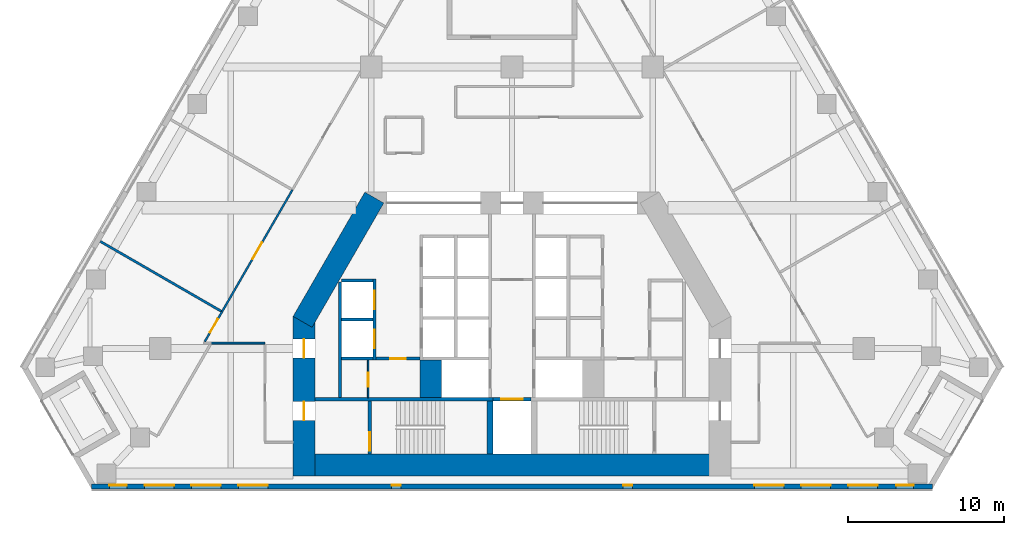
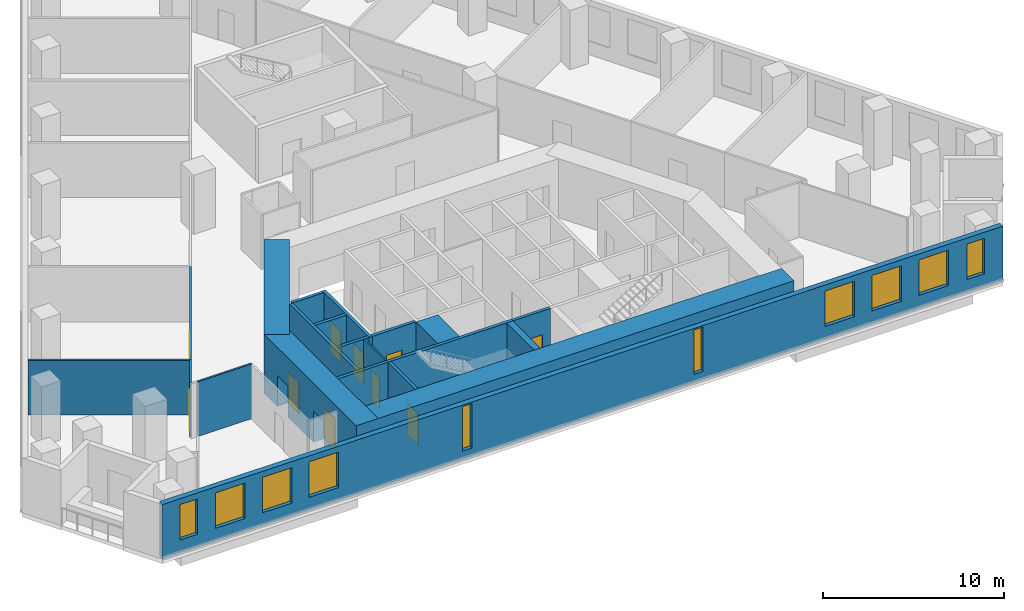
# One storey, part 3 of 9: 20 walls, 10 doors, 10 windows, 20 openings.
"""IFC4 building model written with IfcOpenShell, lengths in metres."""

from ifc_helpers import new_model, si_unit, direction, frame, frame_2d, origin, place, context, subcontext, project, spatial, rectangle, extrude, material, layer, layer_set, type_object, element, fill, save


model = new_model("IFC4")

# Units and contexts
model_context = context("Model", 3, precision=1e-05, world=origin(), true_north=direction((0.0, 1.0)))
body_context = subcontext(model_context, "Body", "Model", "MODEL_VIEW")
ifc_project = project(units=[si_unit("LENGTHUNIT", "METRE"), si_unit("AREAUNIT", "SQUARE_METRE"), si_unit("VOLUMEUNIT", "CUBIC_METRE"), si_unit("PLANEANGLEUNIT", "RADIAN"), si_unit("MASSUNIT", "GRAM", prefix="KILO")], contexts=[model_context])

# Site, building, storey
site_placement = place(None, origin())
site = spatial("IfcSite", under=ifc_project, at=site_placement, CompositionType="ELEMENT")
building_placement = place(site_placement, origin())
building = spatial("IfcBuilding", under=site, at=building_placement, Name="Fogline Exchange Tower", CompositionType="ELEMENT")
storey_placement = place(building_placement, frame((0.0, 0.0, 68.89990234375)))
storey = spatial("IfcBuildingStorey", under=building, at=storey_placement, Name="L14", CompositionType="ELEMENT", Elevation=68.89990234375)

# Wall, opening, door
ifc_material_1 = material(Name="Blockwork partition", Category="masonry")
ifc_layer_1 = layer(ifc_material_1, 0.10009765625)
ifc_layer_set_1 = layer_set([ifc_layer_1], Name="CW10")
wall_type_1 = type_object("IfcWallType", Name="CW10", PredefinedType="PARTITIONING", material=ifc_layer_set_1)
wall_1_placement = place(storey_placement, frame((-9.199951171875, 5.85009765625, 0.0), z_axis=(0.0, 0.0, 1.0), x_axis=(0.0, 1.0, 0.0)))
wall_1 = element("IfcWall", 1, at=wall_1_placement, inside=storey, type_object=wall_type_1, Name="WC partition", PredefinedType="PARTITIONING", context=body_context, shape_type="SweptSolid", body=[
    extrude(rectangle(XDim=2.39990234375, YDim=0.10009765625, at=frame_2d((1.199951171875, 0.0))), origin(), (0.0, 0.0, 1.0), 3.7001953125),
])
opening_1_placement = place(wall_1_placement, frame((0.699951171875, 0.0, 0.0)))
opening_1 = element("IfcOpeningElement", 2, at=opening_1_placement, cuts=wall_1, Name="Opening T04-C008", PredefinedType="OPENING", context=body_context, shape_type="SweptSolid", body=[
    extrude(rectangle(XDim=0.89990234375, YDim=2.10009765625, at=frame_2d((0.449951171875, 1.050048828125))), frame((0.0, 0.06005859375, 0.0), z_axis=(0.0, -1.0, 0.0), x_axis=(1.0, 0.0, 0.0)), (0.0, 0.0, 1.0), 0.1201171875),
])
ifc_material_2 = material(Name="Steel and timber fire door", Category="steel")
door_type_1 = type_object("IfcDoorType", Name="D-CS1", OperationType="SINGLE_SWING_RIGHT", PredefinedType="DOOR", material=ifc_material_2)
door_1_placement = place(opening_1_placement, origin())
door_1 = element("IfcDoor", 3, at=door_1_placement, inside=storey, type_object=door_type_1, Name="Door to Cleaner's Store", OperationType="SINGLE_SWING_LEFT", OverallHeight=2.10009765625, OverallWidth=0.89990234375, PredefinedType="DOOR", context=body_context, shape_type="SweptSolid", body=[
    extrude(rectangle(XDim=0.89990234375, YDim=2.10009765625, at=frame_2d((0.449951171875, 1.050048828125))), frame((0.0, 0.02490234375, 0.0), z_axis=(0.0, -1.0, 0.0), x_axis=(1.0, 0.0, 0.0)), (0.0, 0.0, 1.0), 0.050048828125),
])
fill(opening_1, door_1)

# Walls
ifc_material_3 = material(Name="Concrete C60", Category="concrete")
ifc_layer_2 = layer(ifc_material_3, 1.39990234375)
ifc_layer_set_2 = layer_set([ifc_layer_2], Name="CW140")
wall_type_2 = type_object("IfcWallType", Name="CW140", PredefinedType="SOLIDWALL", material=ifc_layer_set_2)
wall_2_placement = place(storey_placement, frame((-5.199951171875, 5.85009765625, -0.2998046875), z_axis=(0.0, 0.0, 1.0), x_axis=(0.0, 1.0, 0.0)))
element("IfcWall", 4, at=wall_2_placement, inside=storey, type_object=wall_type_2, Name="Lift shaft block wall", PredefinedType="SOLIDWALL", context=body_context, shape_type="SweptSolid", body=[
    extrude(rectangle(XDim=2.39990234375, YDim=1.39990234375, at=frame_2d((1.199951171875, 0.0))), origin(), (0.0, 0.0, 1.0), 4.0),
])
ifc_material_4 = material(Name="Concrete C40", Category="concrete")
ifc_layer_3 = layer(ifc_material_4, 0.199951171875)
ifc_layer_set_3 = layer_set([ifc_layer_3], Name="CW20")
wall_type_3 = type_object("IfcWallType", Name="CW20", PredefinedType="SOLIDWALL", material=ifc_layer_set_3)
wall_3_placement = place(storey_placement, frame((-11.0, 5.85009765625, 0.0), z_axis=(0.0, 0.0, 1.0), x_axis=(0.0, 1.0, 0.0)))
element("IfcWall", 5, at=wall_3_placement, inside=storey, type_object=wall_type_3, Name="Service room wall", PredefinedType="SOLIDWALL", context=body_context, shape_type="SweptSolid", body=[
    extrude(rectangle(XDim=7.39990234375, YDim=0.199951171875, at=frame_2d((3.699951171875, 0.0))), origin(), (0.0, 0.0, 1.0), 3.7001953125),
])

# Wall, opening, door
wall_4_placement = place(storey_placement, frame((-8.699951171875, 8.35009765625, 0.0), z_axis=(0.0, 0.0, 1.0), x_axis=(1.0, 0.0, 0.0)))
wall_4 = element("IfcWall", 6, at=wall_4_placement, inside=storey, type_object=wall_type_3, Name="WC wall", PredefinedType="SOLIDWALL", context=body_context, shape_type="SweptSolid", body=[
    extrude(rectangle(XDim=2.800048828125, YDim=0.199951171875, at=frame_2d((1.39990234375, 0.0))), origin(), (0.0, 0.0, 1.0), 3.7001953125),
])
opening_2_placement = place(wall_4_placement, frame((0.89990234375, 0.0, 0.0)))
opening_2 = element("IfcOpeningElement", 7, at=opening_2_placement, cuts=wall_4, Name="Opening T04-C007", PredefinedType="OPENING", context=body_context, shape_type="SweptSolid", body=[
    extrude(rectangle(XDim=1.0, YDim=2.10009765625, at=frame_2d((0.5, 1.050048828125))), frame((0.0, 0.10986328125, 0.0), z_axis=(0.0, -1.0, 0.0), x_axis=(1.0, 0.0, 0.0)), (0.0, 0.0, 1.0), 0.219970703125),
])
door_type_2 = type_object("IfcDoorType", Name="D-WC1", OperationType="SINGLE_SWING_LEFT", PredefinedType="DOOR", material=ifc_material_2)
door_2_placement = place(opening_2_placement, frame((1.0, 0.0, 0.0), z_axis=(0.0, 0.0, 1.0), x_axis=(-1.0, 0.0, 0.0)))
door_2 = element("IfcDoor", 8, at=door_2_placement, inside=storey, type_object=door_type_2, Name="Door to Men's WC", OperationType="SINGLE_SWING_LEFT", OverallHeight=2.10009765625, OverallWidth=1.0, PredefinedType="DOOR", context=body_context, shape_type="SweptSolid", body=[
    extrude(rectangle(XDim=1.0, YDim=2.10009765625, at=frame_2d((0.5, 1.050048828125))), frame((0.0, 0.02490234375, 0.0), z_axis=(0.0, -1.0, 0.0), x_axis=(1.0, 0.0, 0.0)), (0.0, 0.0, 1.0), 0.050048828125),
])
fill(opening_2, door_2)

# Wall
ifc_layer_4 = layer(ifc_material_4, 0.199951171875)
ifc_layer_set_4 = layer_set([ifc_layer_4], Name="CW20R")
wall_type_4 = type_object("IfcWallType", Name="CW20R", PredefinedType="SOLIDWALL", material=ifc_layer_set_4)
wall_5_placement = place(storey_placement, frame((-12.60009765625, 5.75, -0.2998046875), z_axis=(0.0, 0.0, 1.0), x_axis=(1.0, 0.0, 0.0)))
element("IfcWall", 9, at=wall_5_placement, inside=storey, type_object=wall_type_4, Name="Stair enclosure wall", PredefinedType="SOLIDWALL", context=body_context, shape_type="SweptSolid", body=[
    extrude(rectangle(XDim=11.400146484375, YDim=0.199951171875, at=frame_2d((5.7001953125, 0.0))), origin(), (0.0, 0.0, 1.0), 4.0),
])

# Wall, opening, door
wall_6_placement = place(storey_placement, frame((-1.199951171875, 5.75, -0.2998046875), z_axis=(0.0, 0.0, 1.0), x_axis=(1.0, 0.0, 0.0)))
wall_6 = element("IfcWall", 10, at=wall_6_placement, inside=storey, type_object=wall_type_4, Name="Stair enclosure wall", PredefinedType="SOLIDWALL", context=body_context, shape_type="SweptSolid", body=[
    extrude(rectangle(XDim=2.39990234375, YDim=0.199951171875, at=frame_2d((1.199951171875, 0.0))), origin(), (0.0, 0.0, 1.0), 4.0),
])
opening_3_placement = place(wall_6_placement, frame((0.5, 0.0, 0.300048828125)))
opening_3 = element("IfcOpeningElement", 11, at=opening_3_placement, cuts=wall_6, Name="Opening T04-LD09", PredefinedType="OPENING", context=body_context, shape_type="SweptSolid", body=[
    extrude(rectangle(XDim=1.39990234375, YDim=2.10009765625, at=frame_2d((0.699951171875, 1.050048828125))), frame((0.0, 0.10986328125, 0.0), z_axis=(0.0, -1.0, 0.0), x_axis=(1.0, 0.0, 0.0)), (0.0, 0.0, 1.0), 0.219970703125),
])
door_type_3 = type_object("IfcDoorType", Name="LD3", OperationType="SLIDING_TO_LEFT", PredefinedType="DOOR", material=ifc_material_2)
door_3_placement = place(opening_3_placement, origin())
door_3 = element("IfcDoor", 12, at=door_3_placement, inside=storey, type_object=door_type_3, Name="Landing door GL1", OperationType="SLIDING_TO_LEFT", OverallHeight=2.10009765625, OverallWidth=1.39990234375, PredefinedType="DOOR", context=body_context, shape_type="SweptSolid", body=[
    extrude(rectangle(XDim=1.39990234375, YDim=2.10009765625, at=frame_2d((0.699951171875, 1.050048828125))), frame((0.0, 0.02490234375, 0.0), z_axis=(0.0, -1.0, 0.0), x_axis=(1.0, 0.0, 0.0)), (0.0, 0.0, 1.0), 0.050048828125),
])
fill(opening_3, door_3)

wall_7_placement = place(storey_placement, frame((-9.10009765625, 2.25, -0.2998046875), z_axis=(0.0, 0.0, 1.0), x_axis=(0.0, 1.0, 0.0)))
wall_7 = element("IfcWall", 13, at=wall_7_placement, inside=storey, type_object=wall_type_4, Name="Stair enclosure wall", PredefinedType="SOLIDWALL", context=body_context, shape_type="SweptSolid", body=[
    extrude(rectangle(XDim=3.39990234375, YDim=0.199951171875, at=frame_2d((1.699951171875, 0.0))), origin(), (0.0, 0.0, 1.0), 4.0),
])
opening_4_placement = place(wall_7_placement, frame((0.199951171875, 0.0, 0.300048828125)))
opening_4 = element("IfcOpeningElement", 14, at=opening_4_placement, cuts=wall_7, Name="Opening T04-C010", PredefinedType="OPENING", context=body_context, shape_type="SweptSolid", body=[
    extrude(rectangle(XDim=1.199951171875, YDim=2.10009765625, at=frame_2d((0.60009765625, 1.050048828125))), frame((0.0, 0.10986328125, 0.0), z_axis=(0.0, -1.0, 0.0), x_axis=(1.0, 0.0, 0.0)), (0.0, 0.0, 1.0), 0.219970703125),
])
door_type_4 = type_object("IfcDoorType", Name="D-ST1", OperationType="SINGLE_SWING_LEFT", PredefinedType="DOOR", material=ifc_material_2)
door_4_placement = place(opening_4_placement, frame((1.199951171875, 0.0, 0.0), z_axis=(0.0, 0.0, 1.0), x_axis=(-1.0, 0.0, 0.0)))
door_4 = element("IfcDoor", 15, at=door_4_placement, inside=storey, type_object=door_type_4, Name="Stair door ST1", OperationType="SINGLE_SWING_RIGHT", OverallHeight=2.10009765625, OverallWidth=1.199951171875, PredefinedType="DOOR", context=body_context, shape_type="SweptSolid", body=[
    extrude(rectangle(XDim=1.199951171875, YDim=2.10009765625, at=frame_2d((0.60009765625, 1.050048828125))), frame((0.0, 0.02490234375, 0.0), z_axis=(0.0, -1.0, 0.0), x_axis=(1.0, 0.0, 0.0)), (0.0, 0.0, 1.0), 0.050048828125),
])
fill(opening_4, door_4)

# Wall, openings, doors
ifc_layer_5 = layer(ifc_material_4, 0.199951171875)
ifc_layer_set_5 = layer_set([ifc_layer_5], Name="CW20S")
wall_type_5 = type_object("IfcWallType", Name="CW20S", PredefinedType="SOLIDWALL", material=ifc_layer_set_5)
wall_8_placement = place(storey_placement, frame((-8.800048828125, 8.25, -0.2998046875), z_axis=(0.0, 0.0, 1.0), x_axis=(0.0, 1.0, 0.0)))
wall_8 = element("IfcWall", 16, at=wall_8_placement, inside=storey, type_object=wall_type_5, Name="Lift shaft wall", PredefinedType="SOLIDWALL", context=body_context, shape_type="SweptSolid", body=[
    extrude(rectangle(XDim=5.199951171875, YDim=0.199951171875, at=frame_2d((2.60009765625, 0.0))), origin(), (0.0, 0.0, 1.0), 4.0),
])
opening_5_placement = place(wall_8_placement, frame((0.75, 0.0, 0.300048828125)))
opening_5 = element("IfcOpeningElement", 17, at=opening_5_placement, cuts=wall_8, Name="Opening T04-LD01", PredefinedType="OPENING", context=body_context, shape_type="SweptSolid", body=[
    extrude(rectangle(XDim=1.199951171875, YDim=2.10009765625, at=frame_2d((0.60009765625, 1.050048828125))), frame((0.0, 0.10986328125, 0.0), z_axis=(0.0, -1.0, 0.0), x_axis=(1.0, 0.0, 0.0)), (0.0, 0.0, 1.0), 0.219970703125),
])
opening_6_placement = place(wall_8_placement, frame((3.25, 0.0, 0.300048828125)))
opening_6 = element("IfcOpeningElement", 18, at=opening_6_placement, cuts=wall_8, Name="Opening T04-LD02", PredefinedType="OPENING", context=body_context, shape_type="SweptSolid", body=[
    extrude(rectangle(XDim=1.199951171875, YDim=2.10009765625, at=frame_2d((0.60009765625, 1.050048828125))), frame((0.0, 0.10986328125, 0.0), z_axis=(0.0, -1.0, 0.0), x_axis=(1.0, 0.0, 0.0)), (0.0, 0.0, 1.0), 0.219970703125),
])
door_type_5 = type_object("IfcDoorType", Name="LD1", OperationType="SLIDING_TO_LEFT", PredefinedType="DOOR", material=ifc_material_2)
door_5_placement = place(opening_5_placement, origin())
door_5 = element("IfcDoor", 19, at=door_5_placement, inside=storey, type_object=door_type_5, Name="Landing door LR1", OperationType="SLIDING_TO_LEFT", OverallHeight=2.10009765625, OverallWidth=1.199951171875, PredefinedType="DOOR", context=body_context, shape_type="SweptSolid", body=[
    extrude(rectangle(XDim=1.199951171875, YDim=2.10009765625, at=frame_2d((0.60009765625, 1.050048828125))), frame((0.0, 0.02490234375, 0.0), z_axis=(0.0, -1.0, 0.0), x_axis=(1.0, 0.0, 0.0)), (0.0, 0.0, 1.0), 0.050048828125),
])
fill(opening_5, door_5)
door_6_placement = place(opening_6_placement, origin())
door_6 = element("IfcDoor", 20, at=door_6_placement, inside=storey, type_object=door_type_5, Name="Landing door LR2", OperationType="SLIDING_TO_LEFT", OverallHeight=2.10009765625, OverallWidth=1.199951171875, PredefinedType="DOOR", context=body_context, shape_type="SweptSolid", body=[
    extrude(rectangle(XDim=1.199951171875, YDim=2.10009765625, at=frame_2d((0.60009765625, 1.050048828125))), frame((0.0, 0.02490234375, 0.0), z_axis=(0.0, -1.0, 0.0), x_axis=(1.0, 0.0, 0.0)), (0.0, 0.0, 1.0), 0.050048828125),
])
fill(opening_6, door_6)

# Walls
for number, where, z_axis, x_axis, name in (
    (21, (-10.89990234375, 8.35009765625, -0.2998046875), (0.0, 0.0, 1.0), (1.0, 0.0, 0.0), "Lift shaft wall"),
    (22, (-10.89990234375, 10.85009765625, -0.2998046875), (0.0, 0.0, 1.0), (1.0, 0.0, 0.0), "Lift shaft wall"),
    (23, (-10.89990234375, 13.35009765625, -0.2998046875), (0.0, 0.0, 1.0), (1.0, 0.0, 0.0), "Lift shaft wall"),
):
    element("IfcWall", number, at=place(storey_placement, frame(where, z_axis=z_axis, x_axis=x_axis)), inside=storey, type_object=wall_type_5, Name=name, PredefinedType="SOLIDWALL", context=body_context, shape_type="SweptSolid", body=[
        extrude(rectangle(XDim=2.0, YDim=0.199951171875, at=frame_2d((1.0, 0.0))), origin(), (0.0, 0.0, 1.0), 4.0),
    ])
ifc_layer_6 = layer(ifc_material_4, 0.39990234375)
ifc_layer_set_6 = layer_set([ifc_layer_6], Name="CW40R")
wall_type_6 = type_object("IfcWallType", Name="CW40R", PredefinedType="SOLIDWALL", material=ifc_layer_set_6)
wall_9_placement = place(storey_placement, frame((-1.39990234375, 2.25, -0.2998046875), z_axis=(0.0, 0.0, 1.0), x_axis=(0.0, 1.0, 0.0)))
element("IfcWall", 24, at=wall_9_placement, inside=storey, type_object=wall_type_6, Name="Stair and lift shaft wall", PredefinedType="SOLIDWALL", context=body_context, shape_type="SweptSolid", body=[
    extrude(rectangle(XDim=3.39990234375, YDim=0.39990234375, at=frame_2d((1.699951171875, 0.0))), origin(), (0.0, 0.0, 1.0), 4.0),
])

# Wall, openings, windows
ifc_material_5 = material(Name="Brick masonry", Category="masonry")
ifc_layer_7 = layer(ifc_material_5, 0.340087890625)
ifc_layer_set_7 = layer_set([ifc_layer_7], Name="FW1")
wall_type_7 = type_object("IfcWallType", Name="FW1", PredefinedType="SOLIDWALL", material=ifc_layer_set_7)
wall_10_placement = place(storey_placement, frame((-26.8828125, 0.169921875, 0.0), z_axis=(0.0, 0.0, 1.0), x_axis=(1.0, 0.0, 0.0)))
wall_10 = element("IfcWall", 25, at=wall_10_placement, inside=storey, type_object=wall_type_7, Name="Brick wall L14 S", PredefinedType="SOLIDWALL", context=body_context, shape_type="SweptSolid", body=[
    extrude(rectangle(XDim=53.765625, YDim=0.340087890625, at=frame_2d((26.8828125, 0.0))), origin(), (0.0, 0.0, 1.0), 3.7001953125),
])
opening_7_placement = place(wall_10_placement, frame((3.3828125, 0.0, 0.89990234375)))
opening_7 = element("IfcOpeningElement", 26, at=opening_7_placement, cuts=wall_10, Name="Opening W1", PredefinedType="OPENING", context=body_context, shape_type="SweptSolid", body=[
    extrude(rectangle(XDim=1.885009765625, YDim=2.39990234375, at=frame_2d((0.9423828125, 1.199951171875))), frame((0.0, 0.18017578125, 0.0), z_axis=(0.0, -1.0, 0.0), x_axis=(1.0, 0.0, 0.0)), (0.0, 0.0, 1.0), 0.360107421875),
])
opening_8_placement = place(wall_10_placement, frame((6.3828125, 0.0, 0.89990234375)))
opening_8 = element("IfcOpeningElement", 27, at=opening_8_placement, cuts=wall_10, Name="Opening W1", PredefinedType="OPENING", context=body_context, shape_type="SweptSolid", body=[
    extrude(rectangle(XDim=1.885009765625, YDim=2.39990234375, at=frame_2d((0.9423828125, 1.199951171875))), frame((0.0, 0.18017578125, 0.0), z_axis=(0.0, -1.0, 0.0), x_axis=(1.0, 0.0, 0.0)), (0.0, 0.0, 1.0), 0.360107421875),
])
opening_9_placement = place(wall_10_placement, frame((9.3828125, 0.0, 0.89990234375)))
opening_9 = element("IfcOpeningElement", 28, at=opening_9_placement, cuts=wall_10, Name="Opening W1", PredefinedType="OPENING", context=body_context, shape_type="SweptSolid", body=[
    extrude(rectangle(XDim=1.885009765625, YDim=2.39990234375, at=frame_2d((0.9423828125, 1.199951171875))), frame((0.0, 0.18017578125, 0.0), z_axis=(0.0, -1.0, 0.0), x_axis=(1.0, 0.0, 0.0)), (0.0, 0.0, 1.0), 0.360107421875),
])
opening_10_placement = place(wall_10_placement, frame((42.3828125, 0.0, 0.89990234375)))
opening_10 = element("IfcOpeningElement", 29, at=opening_10_placement, cuts=wall_10, Name="Opening W1", PredefinedType="OPENING", context=body_context, shape_type="SweptSolid", body=[
    extrude(rectangle(XDim=1.885009765625, YDim=2.39990234375, at=frame_2d((0.9423828125, 1.199951171875))), frame((0.0, 0.18017578125, 0.0), z_axis=(0.0, -1.0, 0.0), x_axis=(1.0, 0.0, 0.0)), (0.0, 0.0, 1.0), 0.360107421875),
])
opening_11_placement = place(wall_10_placement, frame((45.3828125, 0.0, 0.89990234375)))
opening_11 = element("IfcOpeningElement", 30, at=opening_11_placement, cuts=wall_10, Name="Opening W1", PredefinedType="OPENING", context=body_context, shape_type="SweptSolid", body=[
    extrude(rectangle(XDim=1.885009765625, YDim=2.39990234375, at=frame_2d((0.9423828125, 1.199951171875))), frame((0.0, 0.18017578125, 0.0), z_axis=(0.0, -1.0, 0.0), x_axis=(1.0, 0.0, 0.0)), (0.0, 0.0, 1.0), 0.360107421875),
])
opening_12_placement = place(wall_10_placement, frame((48.3828125, 0.0, 0.89990234375)))
opening_12 = element("IfcOpeningElement", 31, at=opening_12_placement, cuts=wall_10, Name="Opening W1", PredefinedType="OPENING", context=body_context, shape_type="SweptSolid", body=[
    extrude(rectangle(XDim=1.885009765625, YDim=2.39990234375, at=frame_2d((0.9423828125, 1.199951171875))), frame((0.0, 0.18017578125, 0.0), z_axis=(0.0, -1.0, 0.0), x_axis=(1.0, 0.0, 0.0)), (0.0, 0.0, 1.0), 0.360107421875),
])
opening_13_placement = place(wall_10_placement, frame((1.1337890625, 0.0, 0.89990234375)))
opening_13 = element("IfcOpeningElement", 32, at=opening_13_placement, cuts=wall_10, Name="Opening W4", PredefinedType="OPENING", context=body_context, shape_type="SweptSolid", body=[
    extrude(rectangle(XDim=1.114990234375, YDim=2.39990234375, at=frame_2d((0.5576171875, 1.199951171875))), frame((0.0, 0.18017578125, 0.0), z_axis=(0.0, -1.0, 0.0), x_axis=(1.0, 0.0, 0.0)), (0.0, 0.0, 1.0), 0.360107421875),
])
opening_14_placement = place(wall_10_placement, frame((51.459228515625, 0.0, 0.89990234375)))
opening_14 = element("IfcOpeningElement", 33, at=opening_14_placement, cuts=wall_10, Name="Opening W4", PredefinedType="OPENING", context=body_context, shape_type="SweptSolid", body=[
    extrude(rectangle(XDim=1.114990234375, YDim=2.39990234375, at=frame_2d((0.5576171875, 1.199951171875))), frame((0.0, 0.18017578125, 0.0), z_axis=(0.0, -1.0, 0.0), x_axis=(1.0, 0.0, 0.0)), (0.0, 0.0, 1.0), 0.360107421875),
])
opening_15_placement = place(wall_10_placement, frame((19.182861328125, 0.0, 0.60009765625)))
opening_15 = element("IfcOpeningElement", 34, at=opening_15_placement, cuts=wall_10, Name="Opening W5", PredefinedType="OPENING", context=body_context, shape_type="SweptSolid", body=[
    extrude(rectangle(XDim=0.60009765625, YDim=3.0, at=frame_2d((0.300048828125, 1.5))), frame((0.0, 0.18017578125, 0.0), z_axis=(0.0, -1.0, 0.0), x_axis=(1.0, 0.0, 0.0)), (0.0, 0.0, 1.0), 0.360107421875),
])
opening_16_placement = place(wall_10_placement, frame((33.98291015625, 0.0, 0.60009765625)))
opening_16 = element("IfcOpeningElement", 35, at=opening_16_placement, cuts=wall_10, Name="Opening W5", PredefinedType="OPENING", context=body_context, shape_type="SweptSolid", body=[
    extrude(rectangle(XDim=0.60009765625, YDim=3.0, at=frame_2d((0.300048828125, 1.5))), frame((0.0, 0.18017578125, 0.0), z_axis=(0.0, -1.0, 0.0), x_axis=(1.0, 0.0, 0.0)), (0.0, 0.0, 1.0), 0.360107421875),
])
ifc_material_6 = material(Name="Aluminium and glass", Category="aluminium")
window_type_1 = type_object("IfcWindowType", Name="W1", PartitioningType="SINGLE_PANEL", PredefinedType="WINDOW", material=ifc_material_6)
window_1_placement = place(opening_7_placement, origin())
window_1 = element("IfcWindow", 36, at=window_1_placement, inside=storey, type_object=window_type_1, Name="W1 W1", OverallHeight=2.39990234375, OverallWidth=1.885009765625, PartitioningType="SINGLE_PANEL", PredefinedType="WINDOW", context=body_context, shape_type="SweptSolid", body=[
    extrude(rectangle(XDim=1.885009765625, YDim=2.39990234375, at=frame_2d((0.9423828125, 1.199951171875))), frame((0.0, 0.110107421875, 0.0), z_axis=(0.0, -1.0, 0.0), x_axis=(1.0, 0.0, 0.0)), (0.0, 0.0, 1.0), 0.06005859375),
])
fill(opening_7, window_1)
window_2_placement = place(opening_8_placement, origin())
window_2 = element("IfcWindow", 37, at=window_2_placement, inside=storey, type_object=window_type_1, Name="W1 W1", OverallHeight=2.39990234375, OverallWidth=1.885009765625, PartitioningType="SINGLE_PANEL", PredefinedType="WINDOW", context=body_context, shape_type="SweptSolid", body=[
    extrude(rectangle(XDim=1.885009765625, YDim=2.39990234375, at=frame_2d((0.9423828125, 1.199951171875))), frame((0.0, 0.110107421875, 0.0), z_axis=(0.0, -1.0, 0.0), x_axis=(1.0, 0.0, 0.0)), (0.0, 0.0, 1.0), 0.06005859375),
])
fill(opening_8, window_2)
window_3_placement = place(opening_9_placement, origin())
window_3 = element("IfcWindow", 38, at=window_3_placement, inside=storey, type_object=window_type_1, Name="W1 W1", OverallHeight=2.39990234375, OverallWidth=1.885009765625, PartitioningType="SINGLE_PANEL", PredefinedType="WINDOW", context=body_context, shape_type="SweptSolid", body=[
    extrude(rectangle(XDim=1.885009765625, YDim=2.39990234375, at=frame_2d((0.9423828125, 1.199951171875))), frame((0.0, 0.110107421875, 0.0), z_axis=(0.0, -1.0, 0.0), x_axis=(1.0, 0.0, 0.0)), (0.0, 0.0, 1.0), 0.06005859375),
])
fill(opening_9, window_3)
window_4_placement = place(opening_10_placement, origin())
window_4 = element("IfcWindow", 39, at=window_4_placement, inside=storey, type_object=window_type_1, Name="W1 W1", OverallHeight=2.39990234375, OverallWidth=1.885009765625, PartitioningType="SINGLE_PANEL", PredefinedType="WINDOW", context=body_context, shape_type="SweptSolid", body=[
    extrude(rectangle(XDim=1.885009765625, YDim=2.39990234375, at=frame_2d((0.9423828125, 1.199951171875))), frame((0.0, 0.110107421875, 0.0), z_axis=(0.0, -1.0, 0.0), x_axis=(1.0, 0.0, 0.0)), (0.0, 0.0, 1.0), 0.06005859375),
])
fill(opening_10, window_4)
window_5_placement = place(opening_11_placement, origin())
window_5 = element("IfcWindow", 40, at=window_5_placement, inside=storey, type_object=window_type_1, Name="W1 W1", OverallHeight=2.39990234375, OverallWidth=1.885009765625, PartitioningType="SINGLE_PANEL", PredefinedType="WINDOW", context=body_context, shape_type="SweptSolid", body=[
    extrude(rectangle(XDim=1.885009765625, YDim=2.39990234375, at=frame_2d((0.9423828125, 1.199951171875))), frame((0.0, 0.110107421875, 0.0), z_axis=(0.0, -1.0, 0.0), x_axis=(1.0, 0.0, 0.0)), (0.0, 0.0, 1.0), 0.06005859375),
])
fill(opening_11, window_5)
window_6_placement = place(opening_12_placement, origin())
window_6 = element("IfcWindow", 41, at=window_6_placement, inside=storey, type_object=window_type_1, Name="W1 W1", OverallHeight=2.39990234375, OverallWidth=1.885009765625, PartitioningType="SINGLE_PANEL", PredefinedType="WINDOW", context=body_context, shape_type="SweptSolid", body=[
    extrude(rectangle(XDim=1.885009765625, YDim=2.39990234375, at=frame_2d((0.9423828125, 1.199951171875))), frame((0.0, 0.110107421875, 0.0), z_axis=(0.0, -1.0, 0.0), x_axis=(1.0, 0.0, 0.0)), (0.0, 0.0, 1.0), 0.06005859375),
])
fill(opening_12, window_6)
window_type_2 = type_object("IfcWindowType", Name="W4", PartitioningType="SINGLE_PANEL", PredefinedType="WINDOW", material=ifc_material_6)
window_7_placement = place(opening_13_placement, origin())
window_7 = element("IfcWindow", 42, at=window_7_placement, inside=storey, type_object=window_type_2, Name="W4 W4", OverallHeight=2.39990234375, OverallWidth=1.114990234375, PartitioningType="SINGLE_PANEL", PredefinedType="WINDOW", context=body_context, shape_type="SweptSolid", body=[
    extrude(rectangle(XDim=1.114990234375, YDim=2.39990234375, at=frame_2d((0.5576171875, 1.199951171875))), frame((0.0, 0.110107421875, 0.0), z_axis=(0.0, -1.0, 0.0), x_axis=(1.0, 0.0, 0.0)), (0.0, 0.0, 1.0), 0.06005859375),
])
fill(opening_13, window_7)
window_8_placement = place(opening_14_placement, origin())
window_8 = element("IfcWindow", 43, at=window_8_placement, inside=storey, type_object=window_type_2, Name="W4 W4", OverallHeight=2.39990234375, OverallWidth=1.114990234375, PartitioningType="SINGLE_PANEL", PredefinedType="WINDOW", context=body_context, shape_type="SweptSolid", body=[
    extrude(rectangle(XDim=1.114990234375, YDim=2.39990234375, at=frame_2d((0.5576171875, 1.199951171875))), frame((0.0, 0.110107421875, 0.0), z_axis=(0.0, -1.0, 0.0), x_axis=(1.0, 0.0, 0.0)), (0.0, 0.0, 1.0), 0.06005859375),
])
fill(opening_14, window_8)
window_type_3 = type_object("IfcWindowType", Name="W5", PartitioningType="SINGLE_PANEL", PredefinedType="WINDOW", material=ifc_material_6)
window_9_placement = place(opening_15_placement, origin())
window_9 = element("IfcWindow", 44, at=window_9_placement, inside=storey, type_object=window_type_3, Name="W5 W5", OverallHeight=3.0, OverallWidth=0.60009765625, PartitioningType="SINGLE_PANEL", PredefinedType="WINDOW", context=body_context, shape_type="SweptSolid", body=[
    extrude(rectangle(XDim=0.60009765625, YDim=3.0, at=frame_2d((0.300048828125, 1.5))), frame((0.0, 0.110107421875, 0.0), z_axis=(0.0, -1.0, 0.0), x_axis=(1.0, 0.0, 0.0)), (0.0, 0.0, 1.0), 0.06005859375),
])
fill(opening_15, window_9)
window_10_placement = place(opening_16_placement, origin())
window_10 = element("IfcWindow", 45, at=window_10_placement, inside=storey, type_object=window_type_3, Name="W5 W5", OverallHeight=3.0, OverallWidth=0.60009765625, PartitioningType="SINGLE_PANEL", PredefinedType="WINDOW", context=body_context, shape_type="SweptSolid", body=[
    extrude(rectangle(XDim=0.60009765625, YDim=3.0, at=frame_2d((0.300048828125, 1.5))), frame((0.0, 0.110107421875, 0.0), z_axis=(0.0, -1.0, 0.0), x_axis=(1.0, 0.0, 0.0)), (0.0, 0.0, 1.0), 0.06005859375),
])
fill(opening_16, window_10)

# Wall, opening, door
ifc_material_7 = material(Name="Plasterboard corridor partition with mineral wool, 2 layers each side")
ifc_layer_8 = layer(ifc_material_7, 0.125)
ifc_layer_set_8 = layer_set([ifc_layer_8], Name="PW2")
wall_type_8 = type_object("IfcWallType", Name="PW2", PredefinedType="PARTITIONING", material=ifc_layer_set_8)
wall_11_placement = place(storey_placement, frame((-18.544677734375, 11.3505859375, 0.0), z_axis=(0.0, 0.0, 1.0), x_axis=(0.5000018851, 0.866024315419, 0.0)))
wall_11 = element("IfcWall", 46, at=wall_11_placement, inside=storey, type_object=wall_type_8, Name="wall-L14-W021", PredefinedType="PARTITIONING", context=body_context, shape_type="SweptSolid", body=[
    extrude(rectangle(XDim=9.0, YDim=0.125, at=frame_2d((4.5, 0.0))), origin(), (0.0, 0.0, 1.0), 3.7001953125),
])
opening_17_placement = place(wall_11_placement, frame((3.89990234375, 0.0, 0.0)))
opening_17 = element("IfcOpeningElement", 47, at=opening_17_placement, cuts=wall_11, Name="Opening T04-D013", PredefinedType="OPENING", context=body_context, shape_type="SweptSolid", body=[
    extrude(rectangle(XDim=1.199951171875, YDim=2.10009765625, at=frame_2d((0.60009765625, 1.050048828125))), frame((0.0, 0.072509765625, 0.0), z_axis=(0.0, -1.0, 0.0), x_axis=(1.0, 0.0, 0.0)), (0.0, 0.0, 1.0), 0.14501953125),
])
ifc_material_8 = material(Name="Fire-rated glazed door leaf with steel frame", Category="steel")
door_type_6 = type_object("IfcDoorType", Name="D5", OperationType="SINGLE_SWING_LEFT", PredefinedType="DOOR", material=ifc_material_8)
door_7_placement = place(opening_17_placement, origin())
door_7 = element("IfcDoor", 48, at=door_7_placement, inside=storey, type_object=door_type_6, Name="door-L14-D013", OperationType="SINGLE_SWING_LEFT", OverallHeight=2.10009765625, OverallWidth=1.199951171875, PredefinedType="DOOR", context=body_context, shape_type="SweptSolid", body=[
    extrude(rectangle(XDim=1.199951171875, YDim=2.10009765625, at=frame_2d((0.60009765625, 1.050048828125))), frame((0.0, 0.02490234375, 0.0), z_axis=(0.0, -1.0, 0.0), x_axis=(1.0, 0.0, 0.0)), (0.0, 0.0, 1.0), 0.050048828125),
])
fill(opening_17, door_7)

wall_12_placement = place(storey_placement, frame((-19.651123046875, 9.43408203125, 0.0), z_axis=(0.0, 0.0, 1.0), x_axis=(0.499983483481, 0.866034939391, 0.0)))
wall_12 = element("IfcWall", 49, at=wall_12_placement, inside=storey, type_object=wall_type_8, Name="wall-L14-W023", PredefinedType="PARTITIONING", context=body_context, shape_type="SweptSolid", body=[
    extrude(rectangle(XDim=2.212890625, YDim=0.125, at=frame_2d((1.1064453125, 0.0))), origin(), (0.0, 0.0, 1.0), 3.7001953125),
])
opening_18_placement = place(wall_12_placement, frame((0.671142578125, 0.0, 0.0)))
opening_18 = element("IfcOpeningElement", 50, at=opening_18_placement, cuts=wall_12, Name="Opening T04-D014", PredefinedType="OPENING", context=body_context, shape_type="SweptSolid", body=[
    extrude(rectangle(XDim=1.0, YDim=2.10009765625, at=frame_2d((0.5, 1.050048828125))), frame((0.0, 0.072509765625, 0.0), z_axis=(0.0, -1.0, 0.0), x_axis=(1.0, 0.0, 0.0)), (0.0, 0.0, 1.0), 0.14501953125),
])
ifc_material_9 = material(Name="Fire-rated timber door leaf with steel frame", Category="steel")
door_type_7 = type_object("IfcDoorType", Name="D3", OperationType="SINGLE_SWING_LEFT", PredefinedType="DOOR", material=ifc_material_9)
door_8_placement = place(opening_18_placement, origin())
door_8 = element("IfcDoor", 51, at=door_8_placement, inside=storey, type_object=door_type_7, Name="door-L14-D014", OperationType="SINGLE_SWING_RIGHT", OverallHeight=2.10009765625, OverallWidth=1.0, PredefinedType="DOOR", context=body_context, shape_type="SweptSolid", body=[
    extrude(rectangle(XDim=1.0, YDim=2.10009765625, at=frame_2d((0.5, 1.050048828125))), frame((0.0, 0.02490234375, 0.0), z_axis=(0.0, -1.0, 0.0), x_axis=(1.0, 0.0, 0.0)), (0.0, 0.0, 1.0), 0.050048828125),
])
fill(opening_18, door_8)

# Walls
wall_13_placement = place(storey_placement, frame((-15.800048828125, 9.340087890625, 0.0), z_axis=(0.0, 0.0, 1.0), x_axis=(-1.0, 0.0, 0.0)))
element("IfcWall", 52, at=wall_13_placement, inside=storey, type_object=wall_type_8, Name="wall-L14-W024", PredefinedType="PARTITIONING", context=body_context, shape_type="SweptSolid", body=[
    extrude(rectangle(XDim=3.443603515625, YDim=0.125, at=frame_2d((1.7216796875, 0.0))), origin(), (0.0, 0.0, 1.0), 3.7001953125),
])
ifc_material_10 = material(Name="Plasterboard demising partition with mineral wool and acoustic board")
ifc_layer_9 = layer(ifc_material_10, 0.14990234375)
ifc_layer_set_9 = layer_set([ifc_layer_9], Name="PW3")
wall_type_9 = type_object("IfcWallType", Name="PW3", PredefinedType="PARTITIONING", material=ifc_layer_set_9)
wall_14_placement = place(storey_placement, frame((-18.598876953125, 11.3818359375, 0.0), z_axis=(0.0, 0.0, 1.0), x_axis=(-0.866022276127, 0.500005417223, 0.0)))
element("IfcWall", 53, at=wall_14_placement, inside=storey, type_object=wall_type_9, Name="wall-L14-W044", PredefinedType="PARTITIONING", context=body_context, shape_type="SweptSolid", body=[
    extrude(rectangle(XDim=8.9375, YDim=0.14990234375, at=frame_2d((4.46875, 0.0))), origin(), (0.0, 0.0, 1.0), 3.7001953125),
])
ifc_layer_10 = layer(ifc_material_3, 1.39990234375)
ifc_layer_set_10 = layer_set([ifc_layer_10], Name="SW01")
wall_type_10 = type_object("IfcWallType", Name="SW01", PredefinedType="SHEAR", material=ifc_layer_set_10)
wall_15_placement = place(storey_placement, frame((-14.0, 1.550048828125, 0.0), z_axis=(0.0, 0.0, 1.0), x_axis=(1.0, 0.0, 0.0)))
element("IfcWall", 54, at=wall_15_placement, inside=storey, type_object=wall_type_10, Name="L14-W901", PredefinedType="SHEAR", context=body_context, shape_type="SweptSolid", body=[
    extrude(rectangle(XDim=28.0, YDim=1.39990234375, at=frame_2d((14.0, 0.0))), origin(), (0.0, 0.0, 1.0), 4.0),
])
wall_16_placement = place(storey_placement, frame((-8.805419921875, 18.64990234375, 0.0), z_axis=(0.0, 0.0, 1.0), x_axis=(-0.50000187635, -0.866024320471, 0.0)))
element("IfcWall", 55, at=wall_16_placement, inside=storey, type_object=wall_type_10, Name="L14-W905", PredefinedType="SHEAR", context=body_context, shape_type="SweptSolid", body=[
    extrude(rectangle(XDim=9.1767578125, YDim=1.39990234375, at=frame_2d((4.58837890625, 0.0))), origin(), (0.0, 0.0, 1.0), 4.0),
])

# Wall, openings, doors
wall_17_placement = place(storey_placement, frame((-13.300048828125, 11.052490234375, 0.0), z_axis=(0.0, 0.0, 1.0), x_axis=(0.0, -1.0, 0.0)))
wall_17 = element("IfcWall", 56, at=wall_17_placement, inside=storey, type_object=wall_type_10, Name="L14-W906", PredefinedType="SHEAR", context=body_context, shape_type="SweptSolid", body=[
    extrude(rectangle(XDim=10.202392578125, YDim=1.39990234375, at=frame_2d((5.10107421875, 0.0))), origin(), (0.0, 0.0, 1.0), 4.0),
])
opening_19_placement = place(wall_17_placement, frame((5.45263671875, 0.0, 0.0)))
opening_19 = element("IfcOpeningElement", 57, at=opening_19_placement, cuts=wall_17, Name="Opening T04-C009", PredefinedType="OPENING", context=body_context, shape_type="SweptSolid", body=[
    extrude(rectangle(XDim=1.199951171875, YDim=2.10009765625, at=frame_2d((0.60009765625, 1.050048828125))), frame((0.0, 0.7099609375, 0.0), z_axis=(0.0, -1.0, 0.0), x_axis=(1.0, 0.0, 0.0)), (0.0, 0.0, 1.0), 1.419921875),
])
opening_20_placement = place(wall_17_placement, frame((1.45263671875, 0.0, 0.0)))
opening_20 = element("IfcOpeningElement", 58, at=opening_20_placement, cuts=wall_17, Name="Opening T04-C011", PredefinedType="OPENING", context=body_context, shape_type="SweptSolid", body=[
    extrude(rectangle(XDim=1.199951171875, YDim=2.10009765625, at=frame_2d((0.60009765625, 1.050048828125))), frame((0.0, 0.7099609375, 0.0), z_axis=(0.0, -1.0, 0.0), x_axis=(1.0, 0.0, 0.0)), (0.0, 0.0, 1.0), 1.419921875),
])
door_type_8 = type_object("IfcDoorType", Name="D-FR1", OperationType="SINGLE_SWING_RIGHT", PredefinedType="DOOR", material=ifc_material_2)
door_9_placement = place(opening_19_placement, origin())
door_9 = element("IfcDoor", 59, at=door_9_placement, inside=storey, type_object=door_type_8, Name="Front room door ST1", OperationType="SINGLE_SWING_LEFT", OverallHeight=2.10009765625, OverallWidth=1.199951171875, PredefinedType="DOOR", context=body_context, shape_type="SweptSolid", body=[
    extrude(rectangle(XDim=1.199951171875, YDim=2.10009765625, at=frame_2d((0.60009765625, 1.050048828125))), frame((0.0, 0.02490234375, 0.0), z_axis=(0.0, -1.0, 0.0), x_axis=(1.0, 0.0, 0.0)), (0.0, 0.0, 1.0), 0.050048828125),
])
fill(opening_19, door_9)
door_type_9 = type_object("IfcDoorType", Name="D-SV1", OperationType="SINGLE_SWING_LEFT", PredefinedType="DOOR", material=ifc_material_2)
door_10_placement = place(opening_20_placement, origin())
door_10 = element("IfcDoor", 60, at=door_10_placement, inside=storey, type_object=door_type_9, Name="Service door W", OperationType="SINGLE_SWING_LEFT", OverallHeight=2.10009765625, OverallWidth=1.199951171875, PredefinedType="DOOR", context=body_context, shape_type="SweptSolid", body=[
    extrude(rectangle(XDim=1.199951171875, YDim=2.10009765625, at=frame_2d((0.60009765625, 1.050048828125))), frame((0.0, 0.02490234375, 0.0), z_axis=(0.0, -1.0, 0.0), x_axis=(1.0, 0.0, 0.0)), (0.0, 0.0, 1.0), 0.050048828125),
])
fill(opening_20, door_10)

save(model, "model.ifc")
